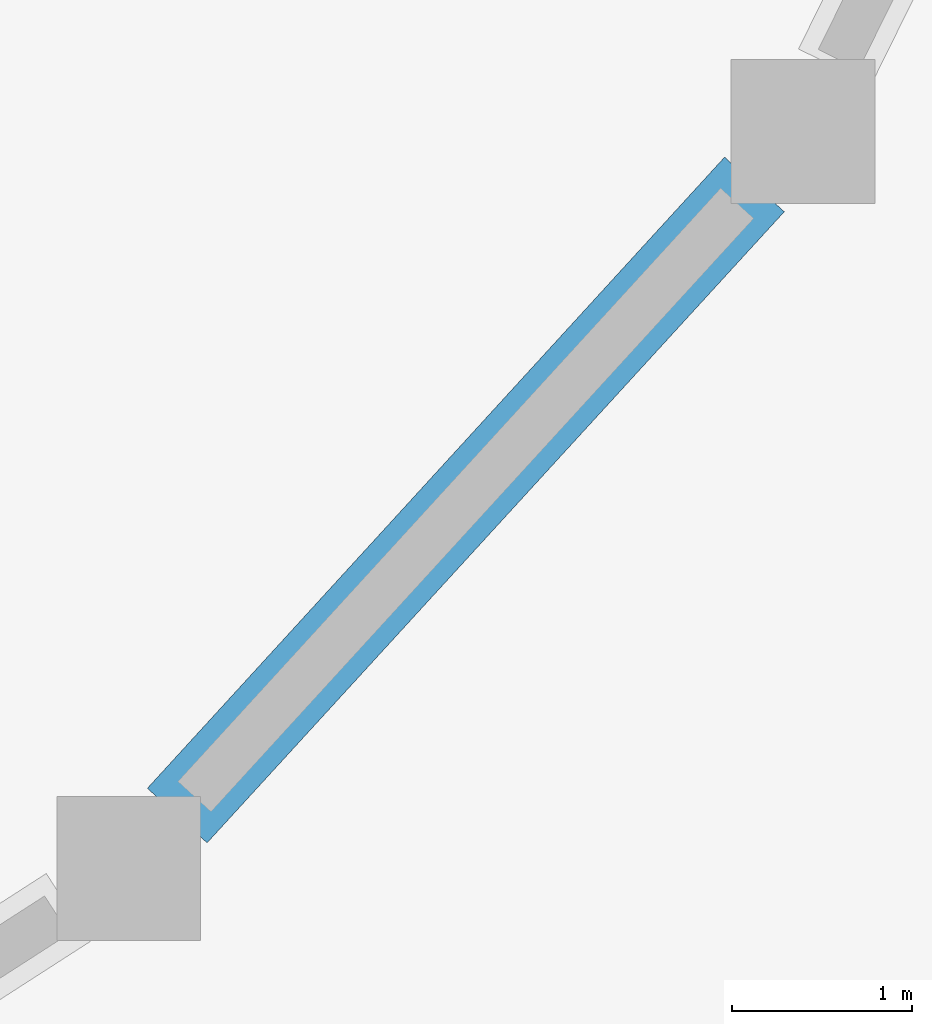
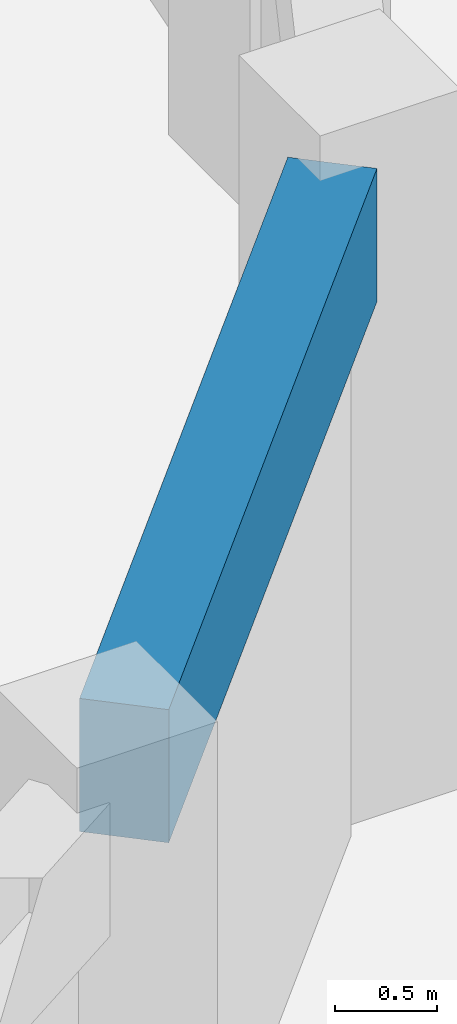
# One storey, part 12 of 54: 1 beam.
"""IFC4 building model written with IfcOpenShell, lengths in metres."""

from ifc_helpers import new_model, si_unit, direction, frame, origin, origin_2d, place, context, subcontext, project, spatial, rectangle, extrude, material, material_profile, profile_set, type_object, element, save


model = new_model("IFC4")

# Units and contexts
model_context = context("Model", 3, precision=1e-05, world=origin(), true_north=direction((0.0, 1.0)))
body_context = subcontext(model_context, "Body", "Model", "MODEL_VIEW")
ifc_project = project(units=[si_unit("LENGTHUNIT", "METRE"), si_unit("AREAUNIT", "SQUARE_METRE"), si_unit("VOLUMEUNIT", "CUBIC_METRE"), si_unit("PLANEANGLEUNIT", "RADIAN"), si_unit("MASSUNIT", "GRAM", prefix="KILO")], contexts=[model_context])

# Site, building, storey
site_placement = place(None, origin())
site = spatial("IfcSite", under=ifc_project, at=site_placement, CompositionType="ELEMENT")
building_placement = place(site_placement, origin())
building = spatial("IfcBuilding", under=site, at=building_placement, Name="Parian Resonance Hall", CompositionType="ELEMENT")
storey_placement = place(building_placement, frame((0.0, 0.0, 15.0)))
storey = spatial("IfcBuildingStorey", under=building, at=storey_placement, Name="L03", CompositionType="ELEMENT", Elevation=15.0)

# Beam
ifc_material = material(Name="Concrete C40/50", Category="concrete")
ifc_material_profile = material_profile(ifc_material, rectangle(XDim=0.449951171875, YDim=0.800048828125, at=origin_2d()), Name="RC-BM-450x800")
ifc_profile_set = profile_set([ifc_material_profile], Name="Concrete C40/50")
beam_type = type_object("IfcBeamType", Name="BM-RC450x800", PredefinedType="USERDEFINED", material=ifc_profile_set)
beam_placement = place(storey_placement, frame((60.957763671875, 30.29443359375, 3.530029296875), z_axis=(0.674892190981, 0.737916343872, 0.0), x_axis=(-0.737916343872, 0.674892190981, 0.0)))
element("IfcBeam", 1, at=beam_placement, inside=storey, type_object=beam_type, Name="Concert hall drum ring beam L03-22", ObjectType="GIRDER", PredefinedType="USERDEFINED", context=body_context, shape_type="SweptSolid", body=[
    extrude(rectangle(XDim=0.449951171875, YDim=0.800048828125, at=origin_2d()), origin(), (0.0, 0.0, 1.0), 4.757080078125),
])

save(model, "model.ifc")
